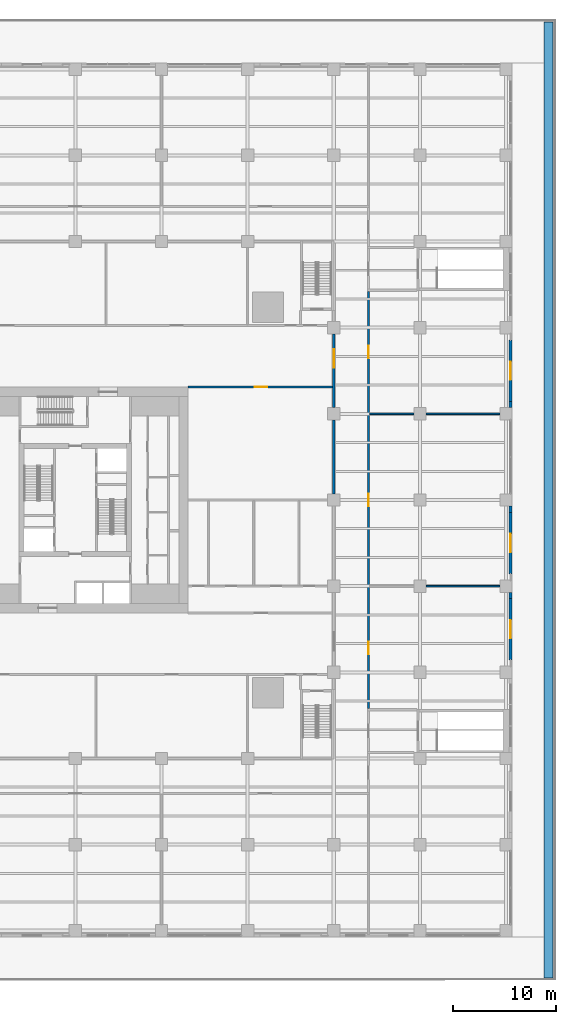
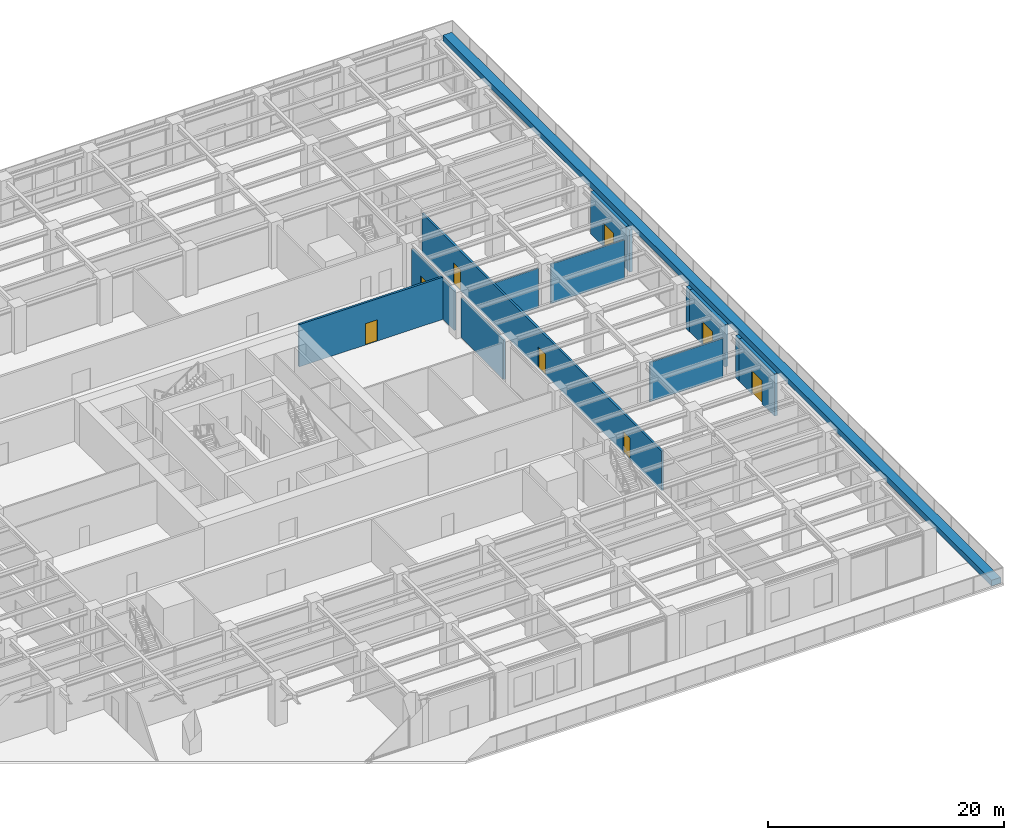
# One storey, part 42 of 53: 14 walls, 8 doors, 8 openings.
"""IFC4 building model written with IfcOpenShell, lengths in metres."""

from ifc_helpers import new_model, si_unit, direction, frame, frame_2d, origin, place, context, subcontext, project, spatial, rectangle, extrude, material, layer, layer_set, type_object, element, fill, save


model = new_model("IFC4")

# Units and contexts
model_context = context("Model", 3, precision=1e-05, world=origin(), true_north=direction((0.0, 1.0)))
body_context = subcontext(model_context, "Body", "Model", "MODEL_VIEW")
ifc_project = project(units=[si_unit("LENGTHUNIT", "METRE"), si_unit("AREAUNIT", "SQUARE_METRE"), si_unit("VOLUMEUNIT", "CUBIC_METRE"), si_unit("PLANEANGLEUNIT", "RADIAN"), si_unit("MASSUNIT", "GRAM", prefix="KILO")], contexts=[model_context])

# Site, building, storey
site_placement = place(None, origin())
site = spatial("IfcSite", under=ifc_project, at=site_placement, CompositionType="ELEMENT")
building_placement = place(site_placement, origin())
building = spatial("IfcBuilding", under=site, at=building_placement, Name="Khepri Terraces", CompositionType="ELEMENT")
storey_placement = place(building_placement, frame((0.0, 0.0, 7.199951171875)))
storey = spatial("IfcBuildingStorey", under=building, at=storey_placement, Name="L01", CompositionType="ELEMENT", Elevation=7.199951171875)

# Wall, opening, door
ifc_material_1 = material(Name="Precast concrete C50/60 warm stone", Category="masonry")
ifc_layer_1 = layer(ifc_material_1, 0.300048828125, Name="Precast concrete C50/60 warm stone", Category="masonry")
ifc_layer_set_1 = layer_set([ifc_layer_1], Name="Precast concrete C50/60 warm stone")
wall_type_1 = type_object("IfcWallType", Name="WL-EXT-PRECAST-300", PredefinedType="STANDARD", material=ifc_layer_set_1)
wall_1_placement = place(storey_placement, frame((42.449951171875, -15.60009765625, 0.0), z_axis=(0.0, 0.0, 1.0), x_axis=(0.0, 1.0, 0.0)))
wall_1 = element("IfcWall", 1, at=wall_1_placement, inside=storey, type_object=wall_type_1, Name="External wall L01 E", PredefinedType="STANDARD", context=body_context, shape_type="SweptSolid", body=[
    extrude(rectangle(XDim=6.0, YDim=0.300048828125, at=frame_2d((3.0, 0.0))), origin(), (0.0, 0.0, 1.0), 4.380126953125),
])
opening_1_placement = place(wall_1_placement, frame((2.10009765625, 0.0, 0.0)))
opening_1 = element("IfcOpeningElement", 2, at=opening_1_placement, cuts=wall_1, Name="Opening ED-L01-05", PredefinedType="OPENING", context=body_context, shape_type="SweptSolid", body=[
    extrude(rectangle(XDim=1.800048828125, YDim=2.39990234375, at=frame_2d((0.89990234375, 1.199951171875))), frame((0.0, 0.16015625, 0.0), z_axis=(0.0, -1.0, 0.0), x_axis=(1.0, 0.0, 0.0)), (0.0, 0.0, 1.0), 0.320068359375),
])
ifc_material_2 = material(Name="Anodised aluminium bronze glazed door", Category="aluminium")
door_type_1 = type_object("IfcDoorType", Name="DR-BAL-SLIDE-1800x2400", OperationType="NOTDEFINED", PredefinedType="DOOR", material=ifc_material_2)
door_1_placement = place(opening_1_placement, origin())
door_1 = element("IfcDoor", 3, at=door_1_placement, inside=storey, type_object=door_type_1, Name="Balcony door L01 E", OperationType="SLIDING_TO_RIGHT", OverallHeight=2.39990234375, OverallWidth=1.800048828125, PredefinedType="DOOR", context=body_context, shape_type="SweptSolid", body=[
    extrude(rectangle(XDim=1.800048828125, YDim=2.39990234375, at=frame_2d((0.89990234375, 1.199951171875))), frame((0.0, 0.02490234375, 0.0), z_axis=(0.0, -1.0, 0.0), x_axis=(1.0, 0.0, 0.0)), (0.0, 0.0, 1.0), 0.050048828125),
])
fill(opening_1, door_1)

# Wall
wall_2_placement = place(storey_placement, frame((42.449951171875, -9.60009765625, 0.0), z_axis=(0.0, 0.0, 1.0), x_axis=(0.0, 1.0, 0.0)))
element("IfcWall", 4, at=wall_2_placement, inside=storey, type_object=wall_type_1, Name="External wall L01 E", PredefinedType="STANDARD", context=body_context, shape_type="SweptSolid", body=[
    extrude(rectangle(XDim=0.60009765625, YDim=0.300048828125, at=frame_2d((0.300048828125, 0.0))), origin(), (0.0, 0.0, 1.0), 4.380126953125),
])

# Wall, opening, door
wall_3_placement = place(storey_placement, frame((42.449951171875, -7.199951171875, 0.0), z_axis=(0.0, 0.0, 1.0), x_axis=(0.0, 1.0, 0.0)))
wall_3 = element("IfcWall", 5, at=wall_3_placement, inside=storey, type_object=wall_type_1, Name="External wall L01 E", PredefinedType="STANDARD", context=body_context, shape_type="SweptSolid", body=[
    extrude(rectangle(XDim=6.0, YDim=0.300048828125, at=frame_2d((3.0, 0.0))), origin(), (0.0, 0.0, 1.0), 4.380126953125),
])
opening_2_placement = place(wall_3_placement, frame((2.10009765625, 0.0, 0.0)))
opening_2 = element("IfcOpeningElement", 6, at=opening_2_placement, cuts=wall_3, Name="Opening ED-L01-06", PredefinedType="OPENING", context=body_context, shape_type="SweptSolid", body=[
    extrude(rectangle(XDim=1.800048828125, YDim=2.39990234375, at=frame_2d((0.89990234375, 1.199951171875))), frame((0.0, 0.16015625, 0.0), z_axis=(0.0, -1.0, 0.0), x_axis=(1.0, 0.0, 0.0)), (0.0, 0.0, 1.0), 0.320068359375),
])
door_2_placement = place(opening_2_placement, origin())
door_2 = element("IfcDoor", 7, at=door_2_placement, inside=storey, type_object=door_type_1, Name="Balcony door L01 E", OperationType="SLIDING_TO_LEFT", OverallHeight=2.39990234375, OverallWidth=1.800048828125, PredefinedType="DOOR", context=body_context, shape_type="SweptSolid", body=[
    extrude(rectangle(XDim=1.800048828125, YDim=2.39990234375, at=frame_2d((0.89990234375, 1.199951171875))), frame((0.0, 0.02490234375, 0.0), z_axis=(0.0, -1.0, 0.0), x_axis=(1.0, 0.0, 0.0)), (0.0, 0.0, 1.0), 0.050048828125),
])
fill(opening_2, door_2)

# Walls
wall_4_placement = place(storey_placement, frame((42.449951171875, -1.199951171875, 0.0), z_axis=(0.0, 0.0, 1.0), x_axis=(0.0, 1.0, 0.0)))
element("IfcWall", 8, at=wall_4_placement, inside=storey, type_object=wall_type_1, Name="External wall L01 E", PredefinedType="STANDARD", context=body_context, shape_type="SweptSolid", body=[
    extrude(rectangle(XDim=0.599853515625, YDim=0.300048828125, at=frame_2d((0.2998046875, 0.0))), origin(), (0.0, 0.0, 1.0), 4.380126953125),
])
wall_5_placement = place(storey_placement, frame((42.449951171875, 9.0, 0.0), z_axis=(0.0, 0.0, 1.0), x_axis=(0.0, 1.0, 0.0)))
element("IfcWall", 9, at=wall_5_placement, inside=storey, type_object=wall_type_1, Name="External wall L01 E", PredefinedType="STANDARD", context=body_context, shape_type="SweptSolid", body=[
    extrude(rectangle(XDim=0.60009765625, YDim=0.300048828125, at=frame_2d((0.300048828125, 0.0))), origin(), (0.0, 0.0, 1.0), 4.380126953125),
])

# Wall, opening, door
wall_6_placement = place(storey_placement, frame((42.449951171875, 9.60009765625, 0.0), z_axis=(0.0, 0.0, 1.0), x_axis=(0.0, 1.0, 0.0)))
wall_6 = element("IfcWall", 10, at=wall_6_placement, inside=storey, type_object=wall_type_1, Name="External wall L01 E", PredefinedType="STANDARD", context=body_context, shape_type="SweptSolid", body=[
    extrude(rectangle(XDim=6.0, YDim=0.300048828125, at=frame_2d((3.0, 0.0))), origin(), (0.0, 0.0, 1.0), 4.380126953125),
])
opening_3_placement = place(wall_6_placement, frame((2.10009765625, 0.0, 0.0)))
opening_3 = element("IfcOpeningElement", 11, at=opening_3_placement, cuts=wall_6, Name="Opening ED-L01-07", PredefinedType="OPENING", context=body_context, shape_type="SweptSolid", body=[
    extrude(rectangle(XDim=1.800048828125, YDim=2.39990234375, at=frame_2d((0.89990234375, 1.199951171875))), frame((0.0, 0.16015625, 0.0), z_axis=(0.0, -1.0, 0.0), x_axis=(1.0, 0.0, 0.0)), (0.0, 0.0, 1.0), 0.320068359375),
])
door_3_placement = place(opening_3_placement, origin())
door_3 = element("IfcDoor", 12, at=door_3_placement, inside=storey, type_object=door_type_1, Name="Balcony door L01 E", OperationType="SLIDING_TO_RIGHT", OverallHeight=2.39990234375, OverallWidth=1.800048828125, PredefinedType="DOOR", context=body_context, shape_type="SweptSolid", body=[
    extrude(rectangle(XDim=1.800048828125, YDim=2.39990234375, at=frame_2d((0.89990234375, 1.199951171875))), frame((0.0, 0.02490234375, 0.0), z_axis=(0.0, -1.0, 0.0), x_axis=(1.0, 0.0, 0.0)), (0.0, 0.0, 1.0), 0.050048828125),
])
fill(opening_3, door_3)

# Walls
ifc_layer_2 = layer(ifc_material_1, 0.89990234375, Name="Precast concrete C50/60 warm stone", Category="masonry")
ifc_layer_set_2 = layer_set([ifc_layer_2], Name="Precast concrete C50/60 warm stone")
wall_type_2 = type_object("IfcWallType", Name="WL-PLANTER-900", PredefinedType="MOVABLE", material=ifc_layer_set_2)
wall_7_placement = place(storey_placement, frame((46.14990234375, -46.60009765625, 0.0), z_axis=(0.0, 0.0, 1.0), x_axis=(0.0, 1.0, 0.0)))
element("IfcWall", 13, at=wall_7_placement, inside=storey, type_object=wall_type_2, Name="Planter L01", PredefinedType="MOVABLE", context=body_context, shape_type="SweptSolid", body=[
    extrude(rectangle(XDim=93.2001953125, YDim=0.89990234375, at=frame_2d((46.60009765625, 0.0))), origin(), (0.0, 0.0, 1.0), 0.60009765625),
])
ifc_material_3 = material(Name="Gypsum board partition")
ifc_layer_3 = layer(ifc_material_3, 0.14990234375, Name="Gypsum board partition")
ifc_layer_set_3 = layer_set([ifc_layer_3], Name="Gypsum board partition")
wall_type_3 = type_object("IfcWallType", Name="WL-POD-150", PredefinedType="PARTITIONING", material=ifc_layer_set_3)
wall_8_placement = place(storey_placement, frame((34.199951171875, -8.39990234375, 0.0), z_axis=(0.0, 0.0, 1.0), x_axis=(1.0, 0.0, 0.0)))
element("IfcWall", 14, at=wall_8_placement, inside=storey, type_object=wall_type_3, Name="Partition L01-PW017", PredefinedType="PARTITIONING", context=body_context, shape_type="SweptSolid", body=[
    extrude(rectangle(XDim=7.199951171875, YDim=0.14990234375, at=frame_2d((3.60009765625, 0.0))), origin(), (0.0, 0.0, 1.0), 4.080078125),
])
wall_9_placement = place(storey_placement, frame((28.699951171875, 8.39990234375, 0.0), z_axis=(0.0, 0.0, 1.0), x_axis=(1.0, 0.0, 0.0)))
element("IfcWall", 15, at=wall_9_placement, inside=storey, type_object=wall_type_3, Name="Partition L01-PW023", PredefinedType="PARTITIONING", context=body_context, shape_type="SweptSolid", body=[
    extrude(rectangle(XDim=4.300048828125, YDim=0.14990234375, at=frame_2d((2.14990234375, 0.0))), origin(), (0.0, 0.0, 1.0), 4.080078125),
])
wall_10_placement = place(storey_placement, frame((34.199951171875, 8.39990234375, 0.0), z_axis=(0.0, 0.0, 1.0), x_axis=(1.0, 0.0, 0.0)))
element("IfcWall", 16, at=wall_10_placement, inside=storey, type_object=wall_type_3, Name="Partition L01-PW024", PredefinedType="PARTITIONING", context=body_context, shape_type="SweptSolid", body=[
    extrude(rectangle(XDim=7.199951171875, YDim=0.14990234375, at=frame_2d((3.60009765625, 0.0))), origin(), (0.0, 0.0, 1.0), 4.080078125),
])

# Wall, opening, door
ifc_material_4 = material(Name="Fire-rated block wall")
ifc_layer_4 = layer(ifc_material_4, 0.199951171875, Name="Fire-rated block wall")
ifc_layer_set_4 = layer_set([ifc_layer_4], Name="Fire-rated block wall")
wall_type_4 = type_object("IfcWallType", Name="WL-POD-200-EI60", PredefinedType="PARTITIONING", material=ifc_layer_set_4)
wall_11_placement = place(storey_placement, frame((11.0, 11.0, 0.0), z_axis=(0.0, 0.0, 1.0), x_axis=(1.0, 0.0, 0.0)))
wall_11 = element("IfcWall", 17, at=wall_11_placement, inside=storey, type_object=wall_type_4, Name="Partition L01-PW026", PredefinedType="PARTITIONING", context=body_context, shape_type="SweptSolid", body=[
    extrude(rectangle(XDim=14.10009765625, YDim=0.199951171875, at=frame_2d((7.050048828125, 0.0))), origin(), (0.0, 0.0, 1.0), 4.380126953125),
])
opening_4_placement = place(wall_11_placement, frame((6.5, 0.0, 0.0)))
opening_4 = element("IfcOpeningElement", 18, at=opening_4_placement, cuts=wall_11, Name="Opening L01-P28", PredefinedType="OPENING", context=body_context, shape_type="SweptSolid", body=[
    extrude(rectangle(XDim=1.199951171875, YDim=2.199951171875, at=frame_2d((0.60009765625, 1.10009765625))), frame((0.0, 0.10986328125, 0.0), z_axis=(0.0, -1.0, 0.0), x_axis=(1.0, 0.0, 0.0)), (0.0, 0.0, 1.0), 0.219970703125),
])
ifc_material_5 = material(Name="Timber veneer", Category="wood")
door_type_2 = type_object("IfcDoorType", Name="DR-POD-SINGLE-1200", OperationType="NOTDEFINED", PredefinedType="DOOR", material=ifc_material_5)
door_4_placement = place(opening_4_placement, origin())
door_4 = element("IfcDoor", 19, at=door_4_placement, inside=storey, type_object=door_type_2, Name="Door L01-P28", OperationType="SINGLE_SWING_LEFT", OverallHeight=2.199951171875, OverallWidth=1.199951171875, PredefinedType="DOOR", context=body_context, shape_type="SweptSolid", body=[
    extrude(rectangle(XDim=1.199951171875, YDim=2.199951171875, at=frame_2d((0.60009765625, 1.10009765625))), frame((0.0, 0.02490234375, 0.0), z_axis=(0.0, -1.0, 0.0), x_axis=(1.0, 0.0, 0.0)), (0.0, 0.0, 1.0), 0.050048828125),
])
fill(opening_4, door_4)

# Wall
wall_12_placement = place(storey_placement, frame((25.199951171875, 0.60009765625, 0.0), z_axis=(0.0, 0.0, 1.0), x_axis=(0.0, 1.0, 0.0)))
element("IfcWall", 20, at=wall_12_placement, inside=storey, type_object=wall_type_4, Name="Partition L01-PW076", PredefinedType="PARTITIONING", context=body_context, shape_type="SweptSolid", body=[
    extrude(rectangle(XDim=7.199951171875, YDim=0.199951171875, at=frame_2d((3.60009765625, 0.0))), origin(), (0.0, 0.0, 1.0), 4.080078125),
])

# Wall, opening, door
wall_13_placement = place(storey_placement, frame((25.199951171875, 9.0, 0.0), z_axis=(0.0, 0.0, 1.0), x_axis=(0.0, 1.0, 0.0)))
wall_13 = element("IfcWall", 21, at=wall_13_placement, inside=storey, type_object=wall_type_4, Name="Partition L01-PW077", PredefinedType="PARTITIONING", context=body_context, shape_type="SweptSolid", body=[
    extrude(rectangle(XDim=7.199951171875, YDim=0.199951171875, at=frame_2d((3.60009765625, 0.0))), origin(), (0.0, 0.0, 1.0), 4.080078125),
])
opening_5_placement = place(wall_13_placement, frame((3.89990234375, 0.0, 0.0)))
opening_5 = element("IfcOpeningElement", 22, at=opening_5_placement, cuts=wall_13, Name="Opening L01-P30", PredefinedType="OPENING", context=body_context, shape_type="SweptSolid", body=[
    extrude(rectangle(XDim=1.800048828125, YDim=2.199951171875, at=frame_2d((0.89990234375, 1.10009765625))), frame((0.0, 0.10986328125, 0.0), z_axis=(0.0, -1.0, 0.0), x_axis=(1.0, 0.0, 0.0)), (0.0, 0.0, 1.0), 0.219970703125),
])
ifc_material_6 = material(Name="Painted steel", Category="steel")
door_type_3 = type_object("IfcDoorType", Name="DR-POD-FIRE-PAIR-1800", OperationType="DOUBLE_DOOR_SINGLE_SWING", PredefinedType="DOOR", material=ifc_material_6)
door_5_placement = place(opening_5_placement, origin())
door_5 = element("IfcDoor", 23, at=door_5_placement, inside=storey, type_object=door_type_3, Name="Fire door pair L01-P30", OperationType="DOUBLE_DOOR_SINGLE_SWING", OverallHeight=2.199951171875, OverallWidth=1.800048828125, PredefinedType="DOOR", context=body_context, shape_type="SweptSolid", body=[
    extrude(rectangle(XDim=1.800048828125, YDim=2.199951171875, at=frame_2d((0.89990234375, 1.10009765625))), frame((0.0, 0.02490234375, 0.0), z_axis=(0.0, -1.0, 0.0), x_axis=(1.0, 0.0, 0.0)), (0.0, 0.0, 1.0), 0.050048828125),
])
fill(opening_5, door_5)

# Wall, openings, doors
wall_14_placement = place(storey_placement, frame((28.60009765625, -20.35009765625, 0.0), z_axis=(0.0, 0.0, 1.0), x_axis=(0.0, 1.0, 0.0)))
wall_14 = element("IfcWall", 24, at=wall_14_placement, inside=storey, type_object=wall_type_4, Name="Partition L01-PW082", PredefinedType="PARTITIONING", context=body_context, shape_type="SweptSolid", body=[
    extrude(rectangle(XDim=40.7001953125, YDim=0.199951171875, at=frame_2d((20.35009765625, 0.0))), origin(), (0.0, 0.0, 1.0), 4.080078125),
])
opening_6_placement = place(wall_14_placement, frame((5.324951171875, 0.0, 0.0)))
opening_6 = element("IfcOpeningElement", 25, at=opening_6_placement, cuts=wall_14, Name="Opening L01-P14", PredefinedType="OPENING", context=body_context, shape_type="SweptSolid", body=[
    extrude(rectangle(XDim=1.199951171875, YDim=2.199951171875, at=frame_2d((0.60009765625, 1.10009765625))), frame((0.0, 0.10986328125, 0.0), z_axis=(0.0, -1.0, 0.0), x_axis=(1.0, 0.0, 0.0)), (0.0, 0.0, 1.0), 0.219970703125),
])
opening_7_placement = place(wall_14_placement, frame((19.75, 0.0, 0.0)))
opening_7 = element("IfcOpeningElement", 26, at=opening_7_placement, cuts=wall_14, Name="Opening L01-P25", PredefinedType="OPENING", context=body_context, shape_type="SweptSolid", body=[
    extrude(rectangle(XDim=1.199951171875, YDim=2.199951171875, at=frame_2d((0.60009765625, 1.10009765625))), frame((0.0, 0.10986328125, 0.0), z_axis=(0.0, -1.0, 0.0), x_axis=(1.0, 0.0, 0.0)), (0.0, 0.0, 1.0), 0.219970703125),
])
opening_8_placement = place(wall_14_placement, frame((34.175048828125, 0.0, 0.0)))
opening_8 = element("IfcOpeningElement", 27, at=opening_8_placement, cuts=wall_14, Name="Opening L01-P31", PredefinedType="OPENING", context=body_context, shape_type="SweptSolid", body=[
    extrude(rectangle(XDim=1.199951171875, YDim=2.199951171875, at=frame_2d((0.60009765625, 1.10009765625))), frame((0.0, 0.10986328125, 0.0), z_axis=(0.0, -1.0, 0.0), x_axis=(1.0, 0.0, 0.0)), (0.0, 0.0, 1.0), 0.219970703125),
])
door_6_placement = place(opening_6_placement, origin())
door_6 = element("IfcDoor", 28, at=door_6_placement, inside=storey, type_object=door_type_2, Name="Door L01-P14", OperationType="SINGLE_SWING_RIGHT", OverallHeight=2.199951171875, OverallWidth=1.199951171875, PredefinedType="DOOR", context=body_context, shape_type="SweptSolid", body=[
    extrude(rectangle(XDim=1.199951171875, YDim=2.199951171875, at=frame_2d((0.60009765625, 1.10009765625))), frame((0.0, 0.02490234375, 0.0), z_axis=(0.0, -1.0, 0.0), x_axis=(1.0, 0.0, 0.0)), (0.0, 0.0, 1.0), 0.050048828125),
])
fill(opening_6, door_6)
door_7_placement = place(opening_7_placement, origin())
door_7 = element("IfcDoor", 29, at=door_7_placement, inside=storey, type_object=door_type_2, Name="Door L01-P25", OperationType="SINGLE_SWING_RIGHT", OverallHeight=2.199951171875, OverallWidth=1.199951171875, PredefinedType="DOOR", context=body_context, shape_type="SweptSolid", body=[
    extrude(rectangle(XDim=1.199951171875, YDim=2.199951171875, at=frame_2d((0.60009765625, 1.10009765625))), frame((0.0, 0.02490234375, 0.0), z_axis=(0.0, -1.0, 0.0), x_axis=(1.0, 0.0, 0.0)), (0.0, 0.0, 1.0), 0.050048828125),
])
fill(opening_7, door_7)
door_8_placement = place(opening_8_placement, origin())
door_8 = element("IfcDoor", 30, at=door_8_placement, inside=storey, type_object=door_type_2, Name="Door L01-P31", OperationType="SINGLE_SWING_LEFT", OverallHeight=2.199951171875, OverallWidth=1.199951171875, PredefinedType="DOOR", context=body_context, shape_type="SweptSolid", body=[
    extrude(rectangle(XDim=1.199951171875, YDim=2.199951171875, at=frame_2d((0.60009765625, 1.10009765625))), frame((0.0, 0.02490234375, 0.0), z_axis=(0.0, -1.0, 0.0), x_axis=(1.0, 0.0, 0.0)), (0.0, 0.0, 1.0), 0.050048828125),
])
fill(opening_8, door_8)

save(model, "model.ifc")
